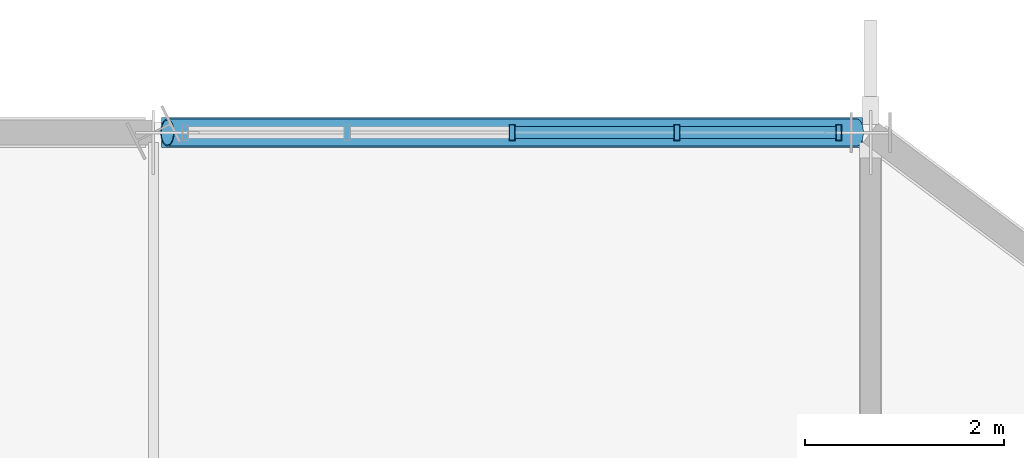
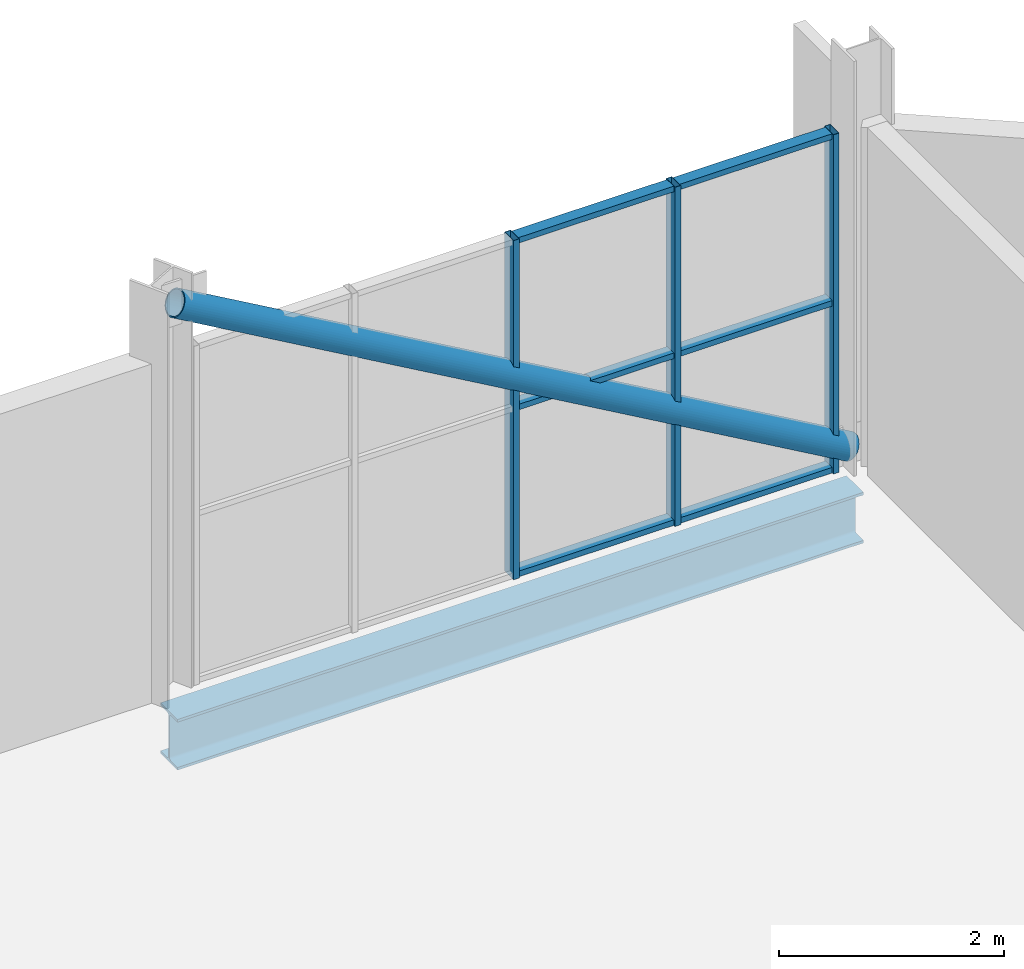
# One storey, part 15 of 22: 10 members, 1 beam, 1 element without a shape of its own.
"""IFC4 building model written with IfcOpenShell, lengths in metres."""

from ifc_helpers import new_model, si_unit, direction, frame, origin, origin_2d, place, context, subcontext, project, spatial, hollow_rectangle, hollow_circle, i_section, extrude, material, layer, layer_set, material_profile, profile_set, type_object, element, aggregate, save


model = new_model("IFC4")

# Units and contexts
model_context = context("Model", 3, precision=1e-05, world=origin(), true_north=direction((0.0, 1.0)))
body_context = subcontext(model_context, "Body", "Model", "MODEL_VIEW")
ifc_project = project(units=[si_unit("LENGTHUNIT", "METRE"), si_unit("AREAUNIT", "SQUARE_METRE"), si_unit("VOLUMEUNIT", "CUBIC_METRE"), si_unit("PLANEANGLEUNIT", "RADIAN"), si_unit("MASSUNIT", "GRAM", prefix="KILO")], contexts=[model_context])

# Site, building, storey
site_placement = place(None, origin())
site = spatial("IfcSite", under=ifc_project, at=site_placement, CompositionType="ELEMENT")
building_placement = place(site_placement, origin())
building = spatial("IfcBuilding", under=site, at=building_placement, Name="Solnavia Interchange Tower", CompositionType="ELEMENT")
storey_placement = place(building_placement, frame((0.0, 0.0, 317.699951171875)))
storey = spatial("IfcBuildingStorey", under=building, at=storey_placement, Name="C04", CompositionType="ELEMENT", Elevation=317.699951171875)

# Curtain wall, members
ifc_material_1 = material(Name="Aluminium Alloy 6063-T6", Category="aluminium")
ifc_layer = layer(ifc_material_1, 0.179931640625)
ifc_layer_set = layer_set([ifc_layer], Name="Aluminium Alloy 6063-T6")
curtain_wall_type = type_object("IfcCurtainWallType", Name="CurtainWall-Crown-CTW6", PredefinedType="NOTDEFINED", material=ifc_layer_set)
curtain_wall_placement = place(storey_placement, origin())
curtain_wall = element("IfcCurtainWall", 1, at=curtain_wall_placement, inside=storey, type_object=curtain_wall_type, Name="CTW-C04-R05 CTW-6 curtain wall", PredefinedType="NOTDEFINED")
ifc_material_profile_1 = material_profile(ifc_material_1, hollow_rectangle(XDim=0.06005859375, YDim=0.159912109375, WallThickness=0.00390625, at=origin_2d()), Name="ALU 160x60x4")
ifc_profile_set_1 = profile_set([ifc_material_profile_1], Name="Aluminium Alloy 6063-T6")
member_type_1 = type_object("IfcMemberType", Name="CW-Mullion-CWM-6", PredefinedType="MULLION", material=ifc_profile_set_1)
member_1_placement = place(storey_placement, frame((24.881591796875, 36.0, 0.0), z_axis=(0.0, 0.0, 1.0), x_axis=(-1.0, 0.0, 0.0)))
member_1 = element("IfcMember", 2, at=member_1_placement, type_object=member_type_1, Name="CTW-6 mullion 1", PredefinedType="MULLION", context=body_context, shape_type="SweptSolid", body=[
    extrude(hollow_rectangle(XDim=0.06005859375, YDim=0.159912109375, WallThickness=0.00390625, at=origin_2d()), origin(), (0.0, 0.0, 1.0), 3.679931640625),
])
member_2_placement = place(storey_placement, frame((23.255859375, 36.0, 0.0), z_axis=(0.0, 0.0, 1.0), x_axis=(-1.0, 0.0, 0.0)))
member_2 = element("IfcMember", 3, at=member_2_placement, type_object=member_type_1, Name="CTW-6 mullion 2", PredefinedType="MULLION", context=body_context, shape_type="SweptSolid", body=[
    extrude(hollow_rectangle(XDim=0.06005859375, YDim=0.159912109375, WallThickness=0.00390625, at=origin_2d()), origin(), (0.0, 0.0, 1.0), 3.679931640625),
])
member_3_placement = place(storey_placement, frame((21.60009765625, 36.0, 0.0), z_axis=(0.0, 0.0, 1.0), x_axis=(-1.0, 0.0, 0.0)))
member_3 = element("IfcMember", 4, at=member_3_placement, type_object=member_type_1, Name="CTW-6 mullion 3", PredefinedType="MULLION", context=body_context, shape_type="SweptSolid", body=[
    extrude(hollow_rectangle(XDim=0.06005859375, YDim=0.159912109375, WallThickness=0.00390625, at=origin_2d()), origin(), (0.0, 0.0, 1.0), 3.679931640625),
])
ifc_material_profile_2 = material_profile(ifc_material_1, hollow_rectangle(XDim=0.06005859375, YDim=0.1201171875, WallThickness=0.00390625, at=origin_2d()), Name="ALU 120x60x4")
ifc_profile_set_2 = profile_set([ifc_material_profile_2], Name="Aluminium Alloy 6063-T6")
member_type_2 = type_object("IfcMemberType", Name="CW-Transom-CWT-6", PredefinedType="USERDEFINED", material=ifc_profile_set_2)
member_4_placement = place(storey_placement, frame((24.8515625, 36.0, 0.030029296875), z_axis=(-1.0, 0.0, 0.0), x_axis=(0.0, 0.0, 1.0)))
member_4 = element("IfcMember", 5, at=member_4_placement, type_object=member_type_2, Name="CTW-6 transom 1.1", ObjectType="TRANSOM", PredefinedType="USERDEFINED", context=body_context, shape_type="SweptSolid", body=[
    extrude(hollow_rectangle(XDim=0.06005859375, YDim=0.1201171875, WallThickness=0.00390625, at=origin_2d()), origin(), (0.0, 0.0, 1.0), 1.56591796875),
])
member_5_placement = place(storey_placement, frame((24.8515625, 36.0, 1.840087890625), z_axis=(-1.0, 0.0, 0.0), x_axis=(0.0, 0.0, 1.0)))
member_5 = element("IfcMember", 6, at=member_5_placement, type_object=member_type_2, Name="CTW-6 transom 1.2", ObjectType="TRANSOM", PredefinedType="USERDEFINED", context=body_context, shape_type="SweptSolid", body=[
    extrude(hollow_rectangle(XDim=0.06005859375, YDim=0.1201171875, WallThickness=0.00390625, at=origin_2d()), origin(), (0.0, 0.0, 1.0), 1.56591796875),
])
member_6_placement = place(storey_placement, frame((24.8515625, 36.0, 3.650146484375), z_axis=(-1.0, 0.0, 0.0), x_axis=(0.0, 0.0, 1.0)))
member_6 = element("IfcMember", 7, at=member_6_placement, type_object=member_type_2, Name="CTW-6 transom 1.3", ObjectType="TRANSOM", PredefinedType="USERDEFINED", context=body_context, shape_type="SweptSolid", body=[
    extrude(hollow_rectangle(XDim=0.06005859375, YDim=0.1201171875, WallThickness=0.00390625, at=origin_2d()), origin(), (0.0, 0.0, 1.0), 1.56591796875),
])
member_7_placement = place(storey_placement, frame((23.225830078125, 36.0, 0.030029296875), z_axis=(-1.0, 0.0, 0.0), x_axis=(0.0, 0.0, 1.0)))
member_7 = element("IfcMember", 8, at=member_7_placement, type_object=member_type_2, Name="CTW-6 transom 2.1", ObjectType="TRANSOM", PredefinedType="USERDEFINED", context=body_context, shape_type="SweptSolid", body=[
    extrude(hollow_rectangle(XDim=0.06005859375, YDim=0.1201171875, WallThickness=0.00390625, at=origin_2d()), origin(), (0.0, 0.0, 1.0), 1.595947265625),
])
member_8_placement = place(storey_placement, frame((23.225830078125, 36.0, 1.840087890625), z_axis=(-1.0, 0.0, 0.0), x_axis=(0.0, 0.0, 1.0)))
member_8 = element("IfcMember", 9, at=member_8_placement, type_object=member_type_2, Name="CTW-6 transom 2.2", ObjectType="TRANSOM", PredefinedType="USERDEFINED", context=body_context, shape_type="SweptSolid", body=[
    extrude(hollow_rectangle(XDim=0.06005859375, YDim=0.1201171875, WallThickness=0.00390625, at=origin_2d()), origin(), (0.0, 0.0, 1.0), 1.595947265625),
])
member_9_placement = place(storey_placement, frame((23.225830078125, 36.0, 3.650146484375), z_axis=(-1.0, 0.0, 0.0), x_axis=(0.0, 0.0, 1.0)))
member_9 = element("IfcMember", 10, at=member_9_placement, type_object=member_type_2, Name="CTW-6 transom 2.3", ObjectType="TRANSOM", PredefinedType="USERDEFINED", context=body_context, shape_type="SweptSolid", body=[
    extrude(hollow_rectangle(XDim=0.06005859375, YDim=0.1201171875, WallThickness=0.00390625, at=origin_2d()), origin(), (0.0, 0.0, 1.0), 1.595947265625),
])
aggregate(curtain_wall, [member_1, member_2, member_3, member_4, member_5, member_6, member_7, member_8, member_9])

# Member
ifc_material_2 = material(Name="Steel S355", Category="steel")
ifc_material_profile_3 = material_profile(ifc_material_2, hollow_circle(Radius=0.136474609375, WallThickness=0.012451171875, at=origin_2d()), Name="CHS 273x12.5")
ifc_profile_set_3 = profile_set([ifc_material_profile_3], Name="Steel S355")
member_type_3 = type_object("IfcMemberType", Name="CrownFrame-Brace-CHS273", PredefinedType="BRACE", material=ifc_profile_set_3)
member_10_placement = place(storey_placement, frame((25.06005859375, 36.0, 0.179931640625), z_axis=(-0.866845175748, 0.0, 0.498577417542), x_axis=(0.0, -1.0, 0.0)))
element("IfcMember", 11, at=member_10_placement, inside=storey, type_object=member_type_3, Name="BRC-C04-CF05 CROWN FRAME ring brace", PredefinedType="BRACE", context=body_context, shape_type="SweptSolid", body=[
    extrude(hollow_circle(Radius=0.136474609375, WallThickness=0.012451171875, at=origin_2d()), origin(), (0.0, 0.0, 1.0), 7.983154296875),
])

# Beam
ifc_material_3 = material(Name="Steel S460", Category="steel")
ifc_material_profile_4 = material_profile(ifc_material_3, i_section(OverallWidth=0.300048828125, OverallDepth=0.550048828125, WebThickness=0.014892578125, FlangeThickness=0.029052734375, FilletRadius=0.027099609375, at=origin_2d()), Name="HEB 550")
ifc_profile_set_4 = profile_set([ifc_material_profile_4], Name="Steel S460")
beam_type = type_object("IfcBeamType", Name="CrownFrame-Ring-HEB550", PredefinedType="BEAM", material=ifc_profile_set_4)
beam_placement = place(storey_placement, frame((25.1201171875, 36.0, -0.52490234375), z_axis=(-1.0, 0.0, 0.0), x_axis=(0.0, -1.0, 0.0)))
element("IfcBeam", 12, at=beam_placement, inside=storey, type_object=beam_type, Name="GRD-C04-CR05 CROWN FRAME outer collar ring beam", PredefinedType="BEAM", context=body_context, shape_type="SweptSolid", body=[
    extrude(i_section(OverallWidth=0.300048828125, OverallDepth=0.550048828125, WebThickness=0.014892578125, FlangeThickness=0.029052734375, FilletRadius=0.027099609375, at=origin_2d()), origin(), (0.0, 0.0, 1.0), 7.0400390625),
])

save(model, "model.ifc")
